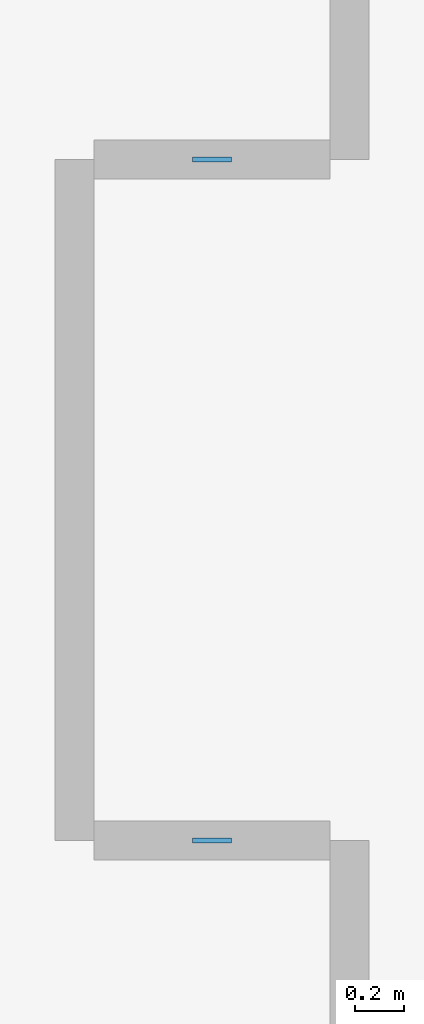
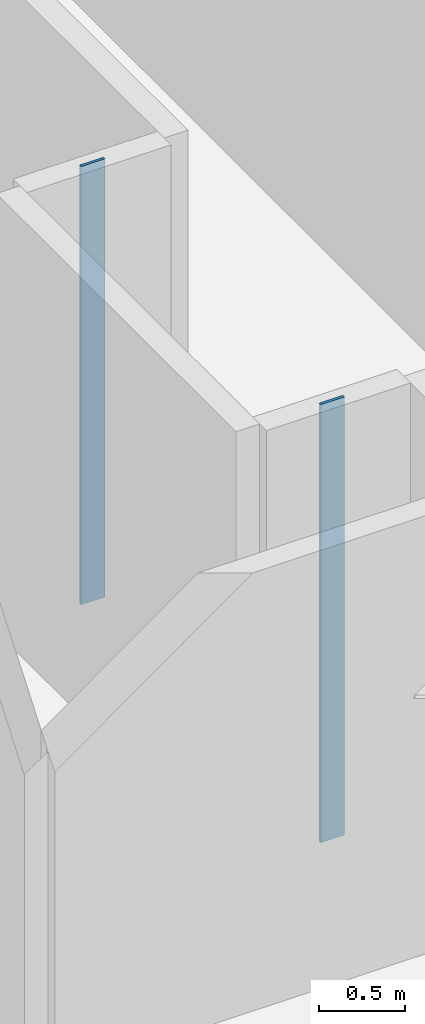
# One storey, part 5 of 13: 2 plates.
"""IFC4 building model written with IfcOpenShell, lengths in metres."""

from ifc_helpers import new_model, si_unit, direction, frame, origin, origin_2d, place, context, subcontext, project, spatial, rectangle, extrude, material, layer, layer_set, type_object, element, save


model = new_model("IFC4")

# Units and contexts
model_context = context("Model", 3, precision=1e-05, world=origin(), true_north=direction((0.0, 1.0)))
body_context = subcontext(model_context, "Body", "Model", "MODEL_VIEW")
ifc_project = project(units=[si_unit("LENGTHUNIT", "METRE"), si_unit("AREAUNIT", "SQUARE_METRE"), si_unit("VOLUMEUNIT", "CUBIC_METRE"), si_unit("PLANEANGLEUNIT", "RADIAN"), si_unit("MASSUNIT", "GRAM", prefix="KILO")], contexts=[model_context])

# Site, building, storey
site_placement = place(None, origin())
site = spatial("IfcSite", under=ifc_project, at=site_placement, CompositionType="ELEMENT")
building_placement = place(site_placement, origin())
building = spatial("IfcBuilding", under=site, at=building_placement, Name="Miruveldt Soraemaru", CompositionType="ELEMENT")
storey_placement = place(building_placement, frame((0.0, 0.0, 59.800048828125)))
storey = spatial("IfcBuildingStorey", under=building, at=storey_placement, Name="L16", CompositionType="ELEMENT", Elevation=59.800048828125)

# Plates
ifc_material = material(Name="Anodised aluminium EN AW-6063 T6", Category="aluminium")
ifc_layer = layer(ifc_material, 0.02001953125, Name="Anodised aluminium EN AW-6063 T6", Category="aluminium")
ifc_layer_set = layer_set([ifc_layer], Name="Anodised aluminium EN AW-6063 T6")
plate_type = type_object("IfcPlateType", Name="PLT-PART-TRIM", PredefinedType="SHEET", material=ifc_layer_set)
for number, where, z_axis, x_axis, name in (
    (1, (39.696044921875, 65.3798828125, 0.0), (0.0, 0.0, 1.0), (-1.0, 0.0, 0.0), "L16 Partition Step Corner Trim Plate 018"),
    (2, (39.696044921875, 62.580078125, 0.0), (0.0, 0.0, 1.0), (1.0, 0.0, 0.0), "L16 Partition Step Corner Trim Plate 020"),
):
    element("IfcPlate", number, at=place(storey_placement, frame(where, z_axis=z_axis, x_axis=x_axis)), inside=storey, type_object=plate_type, Name=name, PredefinedType="SHEET", context=body_context, shape_type="SweptSolid", body=[
        extrude(rectangle(XDim=0.159912109375, YDim=0.02001953125, at=origin_2d()), origin(), (0.0, 0.0, 1.0), 3.125),
    ])

save(model, "model.ifc")
